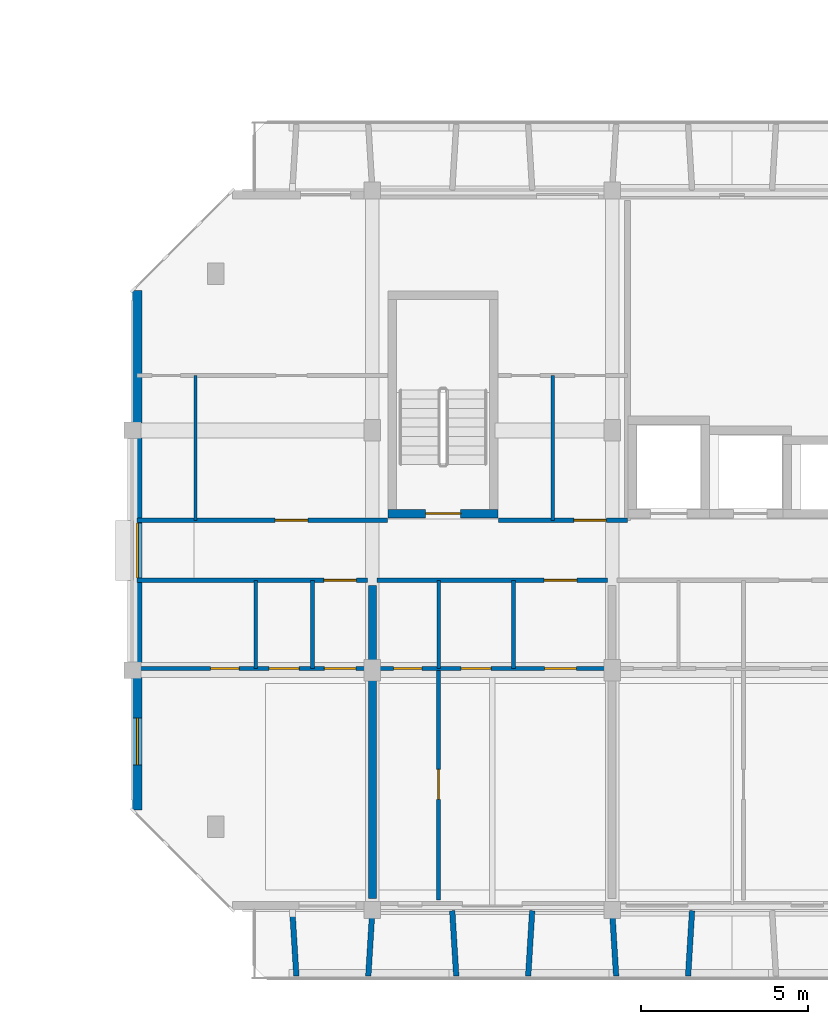
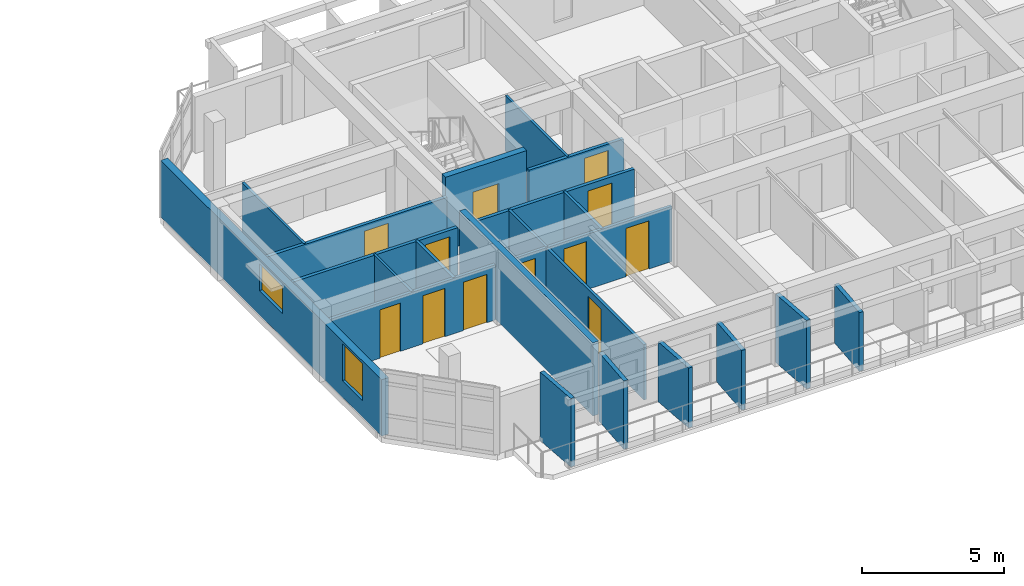
# One storey, part 22 of 44: 22 walls, 12 doors, 2 windows, 14 openings.
"""IFC4 building model written with IfcOpenShell, lengths in metres."""

from ifc_helpers import new_model, si_unit, direction, frame, frame_2d, origin, place, context, subcontext, project, spatial, rectangle, extrude, material, layer, layer_set, type_object, element, fill, save


model = new_model("IFC4")

# Units and contexts
model_context = context("Model", 3, precision=1e-05, world=origin(), true_north=direction((0.0, 1.0)))
body_context = subcontext(model_context, "Body", "Model", "MODEL_VIEW")
ifc_project = project(units=[si_unit("LENGTHUNIT", "METRE"), si_unit("AREAUNIT", "SQUARE_METRE"), si_unit("VOLUMEUNIT", "CUBIC_METRE"), si_unit("PLANEANGLEUNIT", "RADIAN"), si_unit("MASSUNIT", "GRAM", prefix="KILO")], contexts=[model_context])

# Site, building, storey
site_placement = place(None, origin())
site = spatial("IfcSite", under=ifc_project, at=site_placement, CompositionType="ELEMENT")
building_placement = place(site_placement, origin())
building = spatial("IfcBuilding", under=site, at=building_placement, Name="Ochrevale Crest", CompositionType="ELEMENT")
storey_placement = place(building_placement, frame((0.0, 0.0, 21.300048828125)))
storey = spatial("IfcBuildingStorey", under=building, at=storey_placement, Name="L06", CompositionType="ELEMENT", Elevation=21.300048828125)

# Wall, opening, door
ifc_material_1 = material(Name="Gypsum plasterboard", Category="gypsum")
ifc_layer_1 = layer(ifc_material_1, 0.139892578125)
ifc_layer_set_1 = layer_set([ifc_layer_1], Name="Gypsum plasterboard")
wall_type_1 = type_object("IfcWallType", Name="WL-COR-140", PredefinedType="PARTITIONING", material=ifc_layer_set_1)
wall_1_placement = place(storey_placement, frame((129.739990234375, 24.300048828125, 0.0), z_axis=(0.0, 0.0, 1.0), x_axis=(1.0, 0.0, 0.0)))
wall_1 = element("IfcWall", 1, at=wall_1_placement, inside=storey, type_object=wall_type_1, Name="Apartment C-L06-U1 corridor wall", PredefinedType="PARTITIONING", context=body_context, shape_type="SweptSolid", body=[
    extrude(rectangle(XDim=6.919921875, YDim=0.139892578125, at=frame_2d((3.4599609375, 0.0))), origin(), (0.0, 0.0, 1.0), 2.3798828125),
])
opening_1_placement = place(wall_1_placement, frame((6.5849609375, 0.0, 0.0), z_axis=(0.0, 0.0, 1.0), x_axis=(-1.0, 0.0, 0.0)))
opening_1 = element("IfcOpeningElement", 2, at=opening_1_placement, cuts=wall_1, Name="Opening FD01", PredefinedType="OPENING", context=body_context, shape_type="SweptSolid", body=[
    extrude(rectangle(XDim=0.97998046875, YDim=2.10009765625, at=frame_2d((0.489990234375, 1.050048828125))), frame((0.0, 0.080078125, 0.0), z_axis=(0.0, -1.0, 0.0), x_axis=(1.0, 0.0, 0.0)), (0.0, 0.0, 1.0), 0.159912109375),
])
ifc_material_2 = material(Name="Solid-core FSC hardwood", Category="wood")
door_type_1 = type_object("IfcDoorType", Name="DR-APT-950", OperationType="NOTDEFINED", PredefinedType="DOOR", material=ifc_material_2)
door_1_placement = place(opening_1_placement, origin())
door_1 = element("IfcDoor", 3, at=door_1_placement, inside=storey, type_object=door_type_1, Name="Apartment C-L06-U1 entrance door", OperationType="SINGLE_SWING_RIGHT", OverallHeight=2.10009765625, OverallWidth=0.97998046875, PredefinedType="DOOR", context=body_context, shape_type="SweptSolid", body=[
    extrude(rectangle(XDim=0.97998046875, YDim=2.10009765625, at=frame_2d((0.489990234375, 1.050048828125))), frame((0.0, 0.02490234375, 0.0), z_axis=(0.0, -1.0, 0.0), x_axis=(1.0, 0.0, 0.0)), (0.0, 0.0, 1.0), 0.050048828125),
])
fill(opening_1, door_1)

wall_2_placement = place(storey_placement, frame((136.93994140625, 24.300048828125, 0.0), z_axis=(0.0, 0.0, 1.0), x_axis=(1.0, 0.0, 0.0)))
wall_2 = element("IfcWall", 4, at=wall_2_placement, inside=storey, type_object=wall_type_1, Name="Apartment C-L06-U2 corridor wall", PredefinedType="PARTITIONING", context=body_context, shape_type="SweptSolid", body=[
    extrude(rectangle(XDim=6.920166015625, YDim=0.139892578125, at=frame_2d((3.4599609375, 0.0))), origin(), (0.0, 0.0, 1.0), 2.3798828125),
])
opening_2_placement = place(wall_2_placement, frame((6.0, 0.0, 0.0), z_axis=(0.0, 0.0, 1.0), x_axis=(-1.0, 0.0, 0.0)))
opening_2 = element("IfcOpeningElement", 5, at=opening_2_placement, cuts=wall_2, Name="Opening FD01", PredefinedType="OPENING", context=body_context, shape_type="SweptSolid", body=[
    extrude(rectangle(XDim=0.97998046875, YDim=2.10009765625, at=frame_2d((0.489990234375, 1.050048828125))), frame((0.0, 0.080078125, 0.0), z_axis=(0.0, -1.0, 0.0), x_axis=(1.0, 0.0, 0.0)), (0.0, 0.0, 1.0), 0.159912109375),
])
door_2_placement = place(opening_2_placement, origin())
door_2 = element("IfcDoor", 6, at=door_2_placement, inside=storey, type_object=door_type_1, Name="Apartment C-L06-U2 entrance door", OperationType="SINGLE_SWING_RIGHT", OverallHeight=2.10009765625, OverallWidth=0.97998046875, PredefinedType="DOOR", context=body_context, shape_type="SweptSolid", body=[
    extrude(rectangle(XDim=0.97998046875, YDim=2.10009765625, at=frame_2d((0.489990234375, 1.050048828125))), frame((0.0, 0.02490234375, 0.0), z_axis=(0.0, -1.0, 0.0), x_axis=(1.0, 0.0, 0.0)), (0.0, 0.0, 1.0), 0.050048828125),
])
fill(opening_2, door_2)

wall_3_placement = place(storey_placement, frame((129.739990234375, 26.10009765625, 0.0), z_axis=(0.0, 0.0, 1.0), x_axis=(1.0, 0.0, 0.0)))
wall_3 = element("IfcWall", 7, at=wall_3_placement, inside=storey, type_object=wall_type_1, Name="Suite C-L06-CW corridor wall", PredefinedType="PARTITIONING", context=body_context, shape_type="SweptSolid", body=[
    extrude(rectangle(XDim=7.52001953125, YDim=0.139892578125, at=frame_2d((3.760009765625, 0.0))), origin(), (0.0, 0.0, 1.0), 2.3798828125),
])
opening_3_placement = place(wall_3_placement, frame((5.125, 0.0, 0.0), z_axis=(0.0, 0.0, 1.0), x_axis=(-1.0, 0.0, 0.0)))
opening_3 = element("IfcOpeningElement", 8, at=opening_3_placement, cuts=wall_3, Name="Opening FD01", PredefinedType="OPENING", context=body_context, shape_type="SweptSolid", body=[
    extrude(rectangle(XDim=0.97998046875, YDim=2.10009765625, at=frame_2d((0.489990234375, 1.050048828125))), frame((0.0, 0.080078125, 0.0), z_axis=(0.0, -1.0, 0.0), x_axis=(1.0, 0.0, 0.0)), (0.0, 0.0, 1.0), 0.159912109375),
])
door_3_placement = place(opening_3_placement, origin())
door_3 = element("IfcDoor", 9, at=door_3_placement, inside=storey, type_object=door_type_1, Name="Suite C-L06-CW entrance door", OperationType="SINGLE_SWING_RIGHT", OverallHeight=2.10009765625, OverallWidth=0.97998046875, PredefinedType="DOOR", context=body_context, shape_type="SweptSolid", body=[
    extrude(rectangle(XDim=0.97998046875, YDim=2.10009765625, at=frame_2d((0.489990234375, 1.050048828125))), frame((0.0, 0.02490234375, 0.0), z_axis=(0.0, -1.0, 0.0), x_axis=(1.0, 0.0, 0.0)), (0.0, 0.0, 1.0), 0.050048828125),
])
fill(opening_3, door_3)

wall_4_placement = place(storey_placement, frame((140.590087890625, 26.10009765625, 0.0), z_axis=(0.0, 0.0, 1.0), x_axis=(1.0, 0.0, 0.0)))
wall_4 = element("IfcWall", 10, at=wall_4_placement, inside=storey, type_object=wall_type_1, Name="Suite C-L06-MW corridor wall", PredefinedType="PARTITIONING", context=body_context, shape_type="SweptSolid", body=[
    extrude(rectangle(XDim=3.869873046875, YDim=0.139892578125, at=frame_2d((1.93505859375, 0.0))), origin(), (0.0, 0.0, 1.0), 2.3798828125),
])
opening_4_placement = place(wall_4_placement, frame((2.2578125, 0.0, 0.0)))
opening_4 = element("IfcOpeningElement", 11, at=opening_4_placement, cuts=wall_4, Name="Opening FD01", PredefinedType="OPENING", context=body_context, shape_type="SweptSolid", body=[
    extrude(rectangle(XDim=0.97998046875, YDim=2.10009765625, at=frame_2d((0.489990234375, 1.050048828125))), frame((0.0, 0.080078125, 0.0), z_axis=(0.0, -1.0, 0.0), x_axis=(1.0, 0.0, 0.0)), (0.0, 0.0, 1.0), 0.159912109375),
])
door_4_placement = place(opening_4_placement, origin())
door_4 = element("IfcDoor", 12, at=door_4_placement, inside=storey, type_object=door_type_1, Name="Suite C-L06-MW entrance door", OperationType="SINGLE_SWING_LEFT", OverallHeight=2.10009765625, OverallWidth=0.97998046875, PredefinedType="DOOR", context=body_context, shape_type="SweptSolid", body=[
    extrude(rectangle(XDim=0.97998046875, YDim=2.10009765625, at=frame_2d((0.489990234375, 1.050048828125))), frame((0.0, 0.02490234375, 0.0), z_axis=(0.0, -1.0, 0.0), x_axis=(1.0, 0.0, 0.0)), (0.0, 0.0, 1.0), 0.050048828125),
])
fill(opening_4, door_4)

ifc_material_3 = material(Name="Precast concrete C50/60", Category="concrete")
ifc_layer_2 = layer(ifc_material_3, 0.2548828125)
ifc_layer_set_2 = layer_set([ifc_layer_2], Name="Precast concrete C50/60")
wall_type_2 = type_object("IfcWallType", Name="WL-CORE-255", PredefinedType="SHEAR", material=ifc_layer_set_2)
wall_5_placement = place(storey_placement, frame((137.2724609375, 26.300048828125, 0.0), z_axis=(0.0, 0.0, 1.0), x_axis=(1.0, 0.0, 0.0)))
wall_5 = element("IfcWall", 13, at=wall_5_placement, inside=storey, type_object=wall_type_2, Name="Block C L06 Stair 1 precast core shear wall S", PredefinedType="SHEAR", context=body_context, shape_type="SweptSolid", body=[
    extrude(rectangle(XDim=3.304931640625, YDim=0.2548828125, at=frame_2d((1.65234375, 0.0))), origin(), (0.0, 0.0, 1.0), 3.14990234375),
])
opening_5_placement = place(wall_5_placement, frame((2.177490234375, 0.0, 0.0), z_axis=(0.0, 0.0, 1.0), x_axis=(-1.0, 0.0, 0.0)))
opening_5 = element("IfcOpeningElement", 14, at=opening_5_placement, cuts=wall_5, Name="Opening FD03", PredefinedType="OPENING", context=body_context, shape_type="SweptSolid", body=[
    extrude(rectangle(XDim=1.050048828125, YDim=2.1201171875, at=frame_2d((0.52490234375, 1.06005859375))), frame((0.0, 0.137451171875, 0.0), z_axis=(0.0, -1.0, 0.0), x_axis=(1.0, 0.0, 0.0)), (0.0, 0.0, 1.0), 0.27490234375),
])
door_type_2 = type_object("IfcDoorType", Name="DR-ST-1050", OperationType="NOTDEFINED", PredefinedType="DOOR", material=ifc_material_2)
door_5_placement = place(opening_5_placement, origin())
door_5 = element("IfcDoor", 15, at=door_5_placement, inside=storey, type_object=door_type_2, Name="Block C L06 fire stair 1 door", OperationType="SINGLE_SWING_RIGHT", OverallHeight=2.1201171875, OverallWidth=1.050048828125, PredefinedType="DOOR", context=body_context, shape_type="SweptSolid", body=[
    extrude(rectangle(XDim=1.050048828125, YDim=2.1201171875, at=frame_2d((0.52490234375, 1.06005859375))), frame((0.0, 0.02490234375, 0.0), z_axis=(0.0, -1.0, 0.0), x_axis=(1.0, 0.0, 0.0)), (0.0, 0.0, 1.0), 0.050048828125),
])
fill(opening_5, door_5)

# Wall, openings, windows
ifc_material_4 = material(Name="Clay face brickwork", Category="masonry")
ifc_layer_3 = layer(ifc_material_4, 0.2900390625)
ifc_layer_set_3 = layer_set([ifc_layer_3], Name="Clay face brickwork")
wall_type_3 = type_object("IfcWallType", Name="WL-EXT-BRICK-290", PredefinedType="SOLIDWALL", material=ifc_layer_set_3)
wall_6_placement = place(storey_placement, frame((129.7451171875, 33.0, 0.0), z_axis=(0.0, 0.0, 1.0), x_axis=(0.0, -1.0, 0.0)))
wall_6 = element("IfcWall", 16, at=wall_6_placement, inside=storey, type_object=wall_type_3, Name="Block C L06 external facade wall E7", PredefinedType="SOLIDWALL", context=body_context, shape_type="SweptSolid", body=[
    extrude(rectangle(XDim=15.60009765625, YDim=0.2900390625, at=frame_2d((7.800048828125, 0.0))), origin(), (0.0, 0.0, 1.0), 2.429931640625),
])
opening_6_placement = place(wall_6_placement, frame((6.97509765625, 0.0, 1.050048828125)))
opening_6 = element("IfcOpeningElement", 17, at=opening_6_placement, cuts=wall_6, Name="Opening W19", PredefinedType="OPENING", context=body_context, shape_type="SweptSolid", body=[
    extrude(rectangle(XDim=1.64990234375, YDim=1.14990234375, at=frame_2d((0.824951171875, 0.574951171875))), frame((0.0, 0.155029296875, 0.0), z_axis=(0.0, -1.0, 0.0), x_axis=(1.0, 0.0, 0.0)), (0.0, 0.0, 1.0), 0.31005859375),
])
opening_7_placement = place(wall_6_placement, frame((12.830078125, 0.0, 0.719970703125)))
opening_7 = element("IfcOpeningElement", 18, at=opening_7_placement, cuts=wall_6, Name="Opening W31", PredefinedType="OPENING", context=body_context, shape_type="SweptSolid", body=[
    extrude(rectangle(XDim=1.419921875, YDim=1.60009765625, at=frame_2d((0.7099609375, 0.800048828125))), frame((0.0, 0.155029296875, 0.0), z_axis=(0.0, -1.0, 0.0), x_axis=(1.0, 0.0, 0.0)), (0.0, 0.0, 1.0), 0.31005859375),
])
ifc_material_5 = material(Name="Anodised aluminium 6063-T5 and low-E double glazing", Category="aluminium")
window_type_1 = type_object("IfcWindowType", Name="WIN-W19", PartitioningType="SINGLE_PANEL", PredefinedType="WINDOW", material=ifc_material_5)
window_1_placement = place(opening_6_placement, origin())
window_1 = element("IfcWindow", 19, at=window_1_placement, inside=storey, type_object=window_type_1, Name="Block C L06 corridor end daylight window W", OverallHeight=1.14990234375, OverallWidth=1.64990234375, PartitioningType="SINGLE_PANEL", PredefinedType="WINDOW", context=body_context, shape_type="SweptSolid", body=[
    extrude(rectangle(XDim=1.64990234375, YDim=1.14990234375, at=frame_2d((0.824951171875, 0.574951171875))), frame((0.0, 0.030029296875, 0.0), z_axis=(0.0, -1.0, 0.0), x_axis=(1.0, 0.0, 0.0)), (0.0, 0.0, 1.0), 0.06005859375),
])
fill(opening_6, window_1)
window_type_2 = type_object("IfcWindowType", Name="WIN-W31", PartitioningType="SINGLE_PANEL", PredefinedType="WINDOW", material=ifc_material_5)
window_2_placement = place(opening_7_placement, origin())
window_2 = element("IfcWindow", 20, at=window_2_placement, inside=storey, type_object=window_type_2, Name="Block C L06 side suite window W", OverallHeight=1.60009765625, OverallWidth=1.419921875, PartitioningType="SINGLE_PANEL", PredefinedType="WINDOW", context=body_context, shape_type="SweptSolid", body=[
    extrude(rectangle(XDim=1.419921875, YDim=1.60009765625, at=frame_2d((0.7099609375, 0.800048828125))), frame((0.0, 0.030029296875, 0.0), z_axis=(0.0, -1.0, 0.0), x_axis=(1.0, 0.0, 0.0)), (0.0, 0.0, 1.0), 0.06005859375),
])
fill(opening_7, window_2)

# Walls
ifc_material_6 = material(Name="Precast concrete C40/50", Category="concrete")
ifc_layer_4 = layer(ifc_material_6, 0.1650390625)
ifc_layer_set_4 = layer_set([ifc_layer_4], Name="Precast concrete C40/50")
wall_type_4 = type_object("IfcWallType", Name="WL-HC-CHEEK-165", PredefinedType="ELEMENTEDWALL", material=ifc_layer_set_4)
for number, where, z_axis, x_axis, name in (
    (21, (134.39990234375, 14.3798828125, 0.0), (0.0, 0.0, 1.0), (0.061170732449, -0.998127317276, 0.0), "Block C L06 S precast honeycomb cheek 1"),
    (22, (136.800048828125, 14.3798828125, 0.0), (0.0, 0.0, 1.0), (-0.061170732449, -0.998127317276, 0.0), "Block C L06 S precast honeycomb cheek 2"),
):
    element("IfcWall", number, at=place(storey_placement, frame(where, z_axis=z_axis, x_axis=x_axis)), inside=storey, type_object=wall_type_4, Name=name, PredefinedType="ELEMENTEDWALL", context=body_context, shape_type="SweptSolid", body=[
        extrude(rectangle(XDim=1.963623046875, YDim=0.1650390625, at=frame_2d((0.98193359375, 0.0))), origin(), (0.0, 0.0, 1.0), 2.949951171875),
    ])
for number, where, z_axis, x_axis, name in (
    (23, (139.199951171875, 14.3798828125, 0.0), (0.0, 0.0, 1.0), (0.061170732449, -0.998127317276, 0.0), "Block C L06 S precast honeycomb cheek 3"),
    (24, (141.60009765625, 14.3798828125, 0.0), (0.0, 0.0, 1.0), (-0.061170732449, -0.998127317276, 0.0), "Block C L06 S precast honeycomb cheek 4"),
):
    element("IfcWall", number, at=place(storey_placement, frame(where, z_axis=z_axis, x_axis=x_axis)), inside=storey, type_object=wall_type_4, Name=name, PredefinedType="ELEMENTEDWALL", context=body_context, shape_type="SweptSolid", body=[
        extrude(rectangle(XDim=1.963623046875, YDim=0.1650390625, at=frame_2d((0.98193359375, 0.0))), origin(), (0.0, 0.0, 1.0), 2.579833984375),
    ])
wall_7_placement = place(storey_placement, frame((144.0, 14.3798828125, 0.0), z_axis=(0.0, 0.0, 1.0), x_axis=(0.061170732449, -0.998127317276, 0.0)))
element("IfcWall", 25, at=wall_7_placement, inside=storey, type_object=wall_type_4, Name="Block C L06 S precast honeycomb cheek 5", PredefinedType="ELEMENTEDWALL", context=body_context, shape_type="SweptSolid", body=[
    extrude(rectangle(XDim=1.963623046875, YDim=0.1650390625, at=frame_2d((0.98193359375, 0.0))), origin(), (0.0, 0.0, 1.0), 2.949951171875),
])
wall_8_placement = place(storey_placement, frame((146.39990234375, 14.3798828125, 0.0), z_axis=(0.0, 0.0, 1.0), x_axis=(-0.061046865508, -0.998134900808, 0.0)))
element("IfcWall", 26, at=wall_8_placement, inside=storey, type_object=wall_type_4, Name="Block C L06 S precast honeycomb cheek 6", PredefinedType="ELEMENTEDWALL", context=body_context, shape_type="SweptSolid", body=[
    extrude(rectangle(XDim=1.963623046875, YDim=0.1650390625, at=frame_2d((0.98193359375, 0.0))), origin(), (0.0, 0.0, 1.0), 2.530029296875),
])
ifc_layer_5 = layer(ifc_material_1, 0.1201171875)
ifc_layer_set_5 = layer_set([ifc_layer_5], Name="Gypsum plasterboard")
wall_type_5 = type_object("IfcWallType", Name="WL-PART-120", PredefinedType="PARTITIONING", material=ifc_layer_set_5)
wall_9_placement = place(storey_placement, frame((135.010009765625, 21.64990234375, 0.0), z_axis=(0.0, 0.0, 1.0), x_axis=(0.0, 1.0, 0.0)))
element("IfcWall", 27, at=wall_9_placement, inside=storey, type_object=wall_type_5, Name="Apartment C-L06-U1 kitchen-foyer wall", PredefinedType="PARTITIONING", context=body_context, shape_type="SweptSolid", body=[
    extrude(rectangle(XDim=2.650146484375, YDim=0.1201171875, at=frame_2d((1.3251953125, 0.0))), origin(), (0.0, 0.0, 1.0), 2.3798828125),
])

# Wall, openings, doors
wall_10_placement = place(storey_placement, frame((129.739990234375, 21.64990234375, 0.0), z_axis=(0.0, 0.0, 1.0), x_axis=(1.0, 0.0, 0.0)))
wall_10 = element("IfcWall", 28, at=wall_10_placement, inside=storey, type_object=wall_type_5, Name="Apartment C-L06-U1 central partition", PredefinedType="PARTITIONING", context=body_context, shape_type="SweptSolid", body=[
    extrude(rectangle(XDim=6.919921875, YDim=0.1201171875, at=frame_2d((3.4599609375, 0.0))), origin(), (0.0, 0.0, 1.0), 2.3798828125),
])
opening_8_placement = place(wall_10_placement, frame((2.2099609375, 0.0, 0.0)))
opening_8 = element("IfcOpeningElement", 29, at=opening_8_placement, cuts=wall_10, Name="Opening ID01", PredefinedType="OPENING", context=body_context, shape_type="SweptSolid", body=[
    extrude(rectangle(XDim=0.85009765625, YDim=2.080078125, at=frame_2d((0.425048828125, 1.0400390625))), frame((0.0, 0.070068359375, 0.0), z_axis=(0.0, -1.0, 0.0), x_axis=(1.0, 0.0, 0.0)), (0.0, 0.0, 1.0), 0.14013671875),
])
opening_9_placement = place(wall_10_placement, frame((4.864990234375, 0.0, 0.0), z_axis=(0.0, 0.0, 1.0), x_axis=(-1.0, 0.0, 0.0)))
opening_9 = element("IfcOpeningElement", 30, at=opening_9_placement, cuts=wall_10, Name="Opening ID02", PredefinedType="OPENING", context=body_context, shape_type="SweptSolid", body=[
    extrude(rectangle(XDim=0.89990234375, YDim=2.080078125, at=frame_2d((0.449951171875, 1.0400390625))), frame((0.0, 0.070068359375, 0.0), z_axis=(0.0, -1.0, 0.0), x_axis=(1.0, 0.0, 0.0)), (0.0, 0.0, 1.0), 0.14013671875),
])
opening_10_placement = place(wall_10_placement, frame((5.6201171875, 0.0, 0.0)))
opening_10 = element("IfcOpeningElement", 31, at=opening_10_placement, cuts=wall_10, Name="Opening ID06", PredefinedType="OPENING", context=body_context, shape_type="SweptSolid", body=[
    extrude(rectangle(XDim=0.949951171875, YDim=2.080078125, at=frame_2d((0.47509765625, 1.0400390625))), frame((0.0, 0.070068359375, 0.0), z_axis=(0.0, -1.0, 0.0), x_axis=(1.0, 0.0, 0.0)), (0.0, 0.0, 1.0), 0.14013671875),
])
door_type_3 = type_object("IfcDoorType", Name="DR-INT-900", OperationType="NOTDEFINED", PredefinedType="DOOR", material=ifc_material_2)
door_6_placement = place(opening_9_placement, origin())
door_6 = element("IfcDoor", 32, at=door_6_placement, inside=storey, type_object=door_type_3, Name="Apartment C-L06-U1 Kitchen door", OperationType="SINGLE_SWING_RIGHT", OverallHeight=2.080078125, OverallWidth=0.89990234375, PredefinedType="DOOR", context=body_context, shape_type="SweptSolid", body=[
    extrude(rectangle(XDim=0.89990234375, YDim=2.080078125, at=frame_2d((0.449951171875, 1.0400390625))), frame((0.0, 0.02490234375, 0.0), z_axis=(0.0, -1.0, 0.0), x_axis=(1.0, 0.0, 0.0)), (0.0, 0.0, 1.0), 0.050048828125),
])
fill(opening_9, door_6)
door_type_4 = type_object("IfcDoorType", Name="DR-INT-950", OperationType="NOTDEFINED", PredefinedType="DOOR", material=ifc_material_2)
door_7_placement = place(opening_10_placement, origin())
door_7 = element("IfcDoor", 33, at=door_7_placement, inside=storey, type_object=door_type_4, Name="Apartment C-L06-U1 Living Foyer door", OperationType="SINGLE_SWING_LEFT", OverallHeight=2.080078125, OverallWidth=0.949951171875, PredefinedType="DOOR", context=body_context, shape_type="SweptSolid", body=[
    extrude(rectangle(XDim=0.949951171875, YDim=2.080078125, at=frame_2d((0.47509765625, 1.0400390625))), frame((0.0, 0.02490234375, 0.0), z_axis=(0.0, -1.0, 0.0), x_axis=(1.0, 0.0, 0.0)), (0.0, 0.0, 1.0), 0.050048828125),
])
fill(opening_10, door_7)
door_type_5 = type_object("IfcDoorType", Name="DR-WC-850", OperationType="NOTDEFINED", PredefinedType="DOOR", material=ifc_material_2)
door_8_placement = place(opening_8_placement, origin())
door_8 = element("IfcDoor", 34, at=door_8_placement, inside=storey, type_object=door_type_5, Name="Apartment C-L06-U1 Bathroom door", OperationType="SINGLE_SWING_LEFT", OverallHeight=2.080078125, OverallWidth=0.85009765625, PredefinedType="DOOR", context=body_context, shape_type="SweptSolid", body=[
    extrude(rectangle(XDim=0.85009765625, YDim=2.080078125, at=frame_2d((0.425048828125, 1.0400390625))), frame((0.0, 0.02490234375, 0.0), z_axis=(0.0, -1.0, 0.0), x_axis=(1.0, 0.0, 0.0)), (0.0, 0.0, 1.0), 0.050048828125),
])
fill(opening_8, door_8)

# Wall
wall_11_placement = place(storey_placement, frame((141.0400390625, 21.64990234375, 0.0), z_axis=(0.0, 0.0, 1.0), x_axis=(0.0, 1.0, 0.0)))
element("IfcWall", 35, at=wall_11_placement, inside=storey, type_object=wall_type_5, Name="Apartment C-L06-U2 kitchen-foyer wall", PredefinedType="PARTITIONING", context=body_context, shape_type="SweptSolid", body=[
    extrude(rectangle(XDim=2.650146484375, YDim=0.1201171875, at=frame_2d((1.3251953125, 0.0))), origin(), (0.0, 0.0, 1.0), 2.3798828125),
])

# Wall, openings, doors
wall_12_placement = place(storey_placement, frame((136.93994140625, 21.64990234375, 0.0), z_axis=(0.0, 0.0, 1.0), x_axis=(1.0, 0.0, 0.0)))
wall_12 = element("IfcWall", 36, at=wall_12_placement, inside=storey, type_object=wall_type_5, Name="Apartment C-L06-U2 central partition", PredefinedType="PARTITIONING", context=body_context, shape_type="SweptSolid", body=[
    extrude(rectangle(XDim=6.920166015625, YDim=0.1201171875, at=frame_2d((3.4599609375, 0.0))), origin(), (0.0, 0.0, 1.0), 2.3798828125),
])
opening_11_placement = place(wall_12_placement, frame((0.5, 0.0, 0.0)))
opening_11 = element("IfcOpeningElement", 37, at=opening_11_placement, cuts=wall_12, Name="Opening ID01", PredefinedType="OPENING", context=body_context, shape_type="SweptSolid", body=[
    extrude(rectangle(XDim=0.85009765625, YDim=2.080078125, at=frame_2d((0.425048828125, 1.0400390625))), frame((0.0, 0.070068359375, 0.0), z_axis=(0.0, -1.0, 0.0), x_axis=(1.0, 0.0, 0.0)), (0.0, 0.0, 1.0), 0.14013671875),
])
opening_12_placement = place(wall_12_placement, frame((3.4248046875, 0.0, 0.0), z_axis=(0.0, 0.0, 1.0), x_axis=(-1.0, 0.0, 0.0)))
opening_12 = element("IfcOpeningElement", 38, at=opening_12_placement, cuts=wall_12, Name="Opening ID02", PredefinedType="OPENING", context=body_context, shape_type="SweptSolid", body=[
    extrude(rectangle(XDim=0.89990234375, YDim=2.080078125, at=frame_2d((0.449951171875, 1.0400390625))), frame((0.0, 0.070068359375, 0.0), z_axis=(0.0, -1.0, 0.0), x_axis=(1.0, 0.0, 0.0)), (0.0, 0.0, 1.0), 0.14013671875),
])
opening_13_placement = place(wall_12_placement, frame((5.034912109375, 0.0, 0.0)))
opening_13 = element("IfcOpeningElement", 39, at=opening_13_placement, cuts=wall_12, Name="Opening ID06", PredefinedType="OPENING", context=body_context, shape_type="SweptSolid", body=[
    extrude(rectangle(XDim=0.949951171875, YDim=2.080078125, at=frame_2d((0.47509765625, 1.0400390625))), frame((0.0, 0.070068359375, 0.0), z_axis=(0.0, -1.0, 0.0), x_axis=(1.0, 0.0, 0.0)), (0.0, 0.0, 1.0), 0.14013671875),
])
door_9_placement = place(opening_12_placement, origin())
door_9 = element("IfcDoor", 40, at=door_9_placement, inside=storey, type_object=door_type_3, Name="Apartment C-L06-U2 Kitchen door", OperationType="SINGLE_SWING_RIGHT", OverallHeight=2.080078125, OverallWidth=0.89990234375, PredefinedType="DOOR", context=body_context, shape_type="SweptSolid", body=[
    extrude(rectangle(XDim=0.89990234375, YDim=2.080078125, at=frame_2d((0.449951171875, 1.0400390625))), frame((0.0, 0.02490234375, 0.0), z_axis=(0.0, -1.0, 0.0), x_axis=(1.0, 0.0, 0.0)), (0.0, 0.0, 1.0), 0.050048828125),
])
fill(opening_12, door_9)
door_10_placement = place(opening_13_placement, origin())
door_10 = element("IfcDoor", 41, at=door_10_placement, inside=storey, type_object=door_type_4, Name="Apartment C-L06-U2 Living Foyer door", OperationType="SINGLE_SWING_LEFT", OverallHeight=2.080078125, OverallWidth=0.949951171875, PredefinedType="DOOR", context=body_context, shape_type="SweptSolid", body=[
    extrude(rectangle(XDim=0.949951171875, YDim=2.080078125, at=frame_2d((0.47509765625, 1.0400390625))), frame((0.0, 0.02490234375, 0.0), z_axis=(0.0, -1.0, 0.0), x_axis=(1.0, 0.0, 0.0)), (0.0, 0.0, 1.0), 0.050048828125),
])
fill(opening_13, door_10)
door_11_placement = place(opening_11_placement, origin())
door_11 = element("IfcDoor", 42, at=door_11_placement, inside=storey, type_object=door_type_5, Name="Apartment C-L06-U2 Bathroom door", OperationType="SINGLE_SWING_LEFT", OverallHeight=2.080078125, OverallWidth=0.85009765625, PredefinedType="DOOR", context=body_context, shape_type="SweptSolid", body=[
    extrude(rectangle(XDim=0.85009765625, YDim=2.080078125, at=frame_2d((0.425048828125, 1.0400390625))), frame((0.0, 0.02490234375, 0.0), z_axis=(0.0, -1.0, 0.0), x_axis=(1.0, 0.0, 0.0)), (0.0, 0.0, 1.0), 0.050048828125),
])
fill(opening_11, door_11)

# Wall, opening, door
wall_13_placement = place(storey_placement, frame((138.7900390625, 14.699951171875, 0.0), z_axis=(0.0, 0.0, 1.0), x_axis=(0.0, 1.0, 0.0)))
wall_13 = element("IfcWall", 43, at=wall_13_placement, inside=storey, type_object=wall_type_5, Name="Apartment C-L06-U2 bedroom partition", PredefinedType="PARTITIONING", context=body_context, shape_type="SweptSolid", body=[
    extrude(rectangle(XDim=6.949951171875, YDim=0.1201171875, at=frame_2d((3.47509765625, 0.0))), origin(), (0.0, 0.0, 1.0), 2.3798828125),
])
opening_14_placement = place(wall_13_placement, frame((3.9248046875, 0.0, 0.0), z_axis=(0.0, 0.0, 1.0), x_axis=(-1.0, 0.0, 0.0)))
opening_14 = element("IfcOpeningElement", 44, at=opening_14_placement, cuts=wall_13, Name="Opening ID02", PredefinedType="OPENING", context=body_context, shape_type="SweptSolid", body=[
    extrude(rectangle(XDim=0.89990234375, YDim=2.080078125, at=frame_2d((0.449951171875, 1.0400390625))), frame((0.0, 0.070068359375, 0.0), z_axis=(0.0, -1.0, 0.0), x_axis=(1.0, 0.0, 0.0)), (0.0, 0.0, 1.0), 0.14013671875),
])
door_12_placement = place(opening_14_placement, origin())
door_12 = element("IfcDoor", 45, at=door_12_placement, inside=storey, type_object=door_type_3, Name="Apartment C-L06-U2 Double Bedroom door", OperationType="SINGLE_SWING_RIGHT", OverallHeight=2.080078125, OverallWidth=0.89990234375, PredefinedType="DOOR", context=body_context, shape_type="SweptSolid", body=[
    extrude(rectangle(XDim=0.89990234375, YDim=2.080078125, at=frame_2d((0.449951171875, 1.0400390625))), frame((0.0, 0.02490234375, 0.0), z_axis=(0.0, -1.0, 0.0), x_axis=(1.0, 0.0, 0.0)), (0.0, 0.0, 1.0), 0.050048828125),
])
fill(opening_14, door_12)

# Walls
ifc_layer_6 = layer(ifc_material_3, 0.239990234375)
ifc_layer_set_6 = layer_set([ifc_layer_6], Name="Precast concrete C50/60")
wall_type_6 = type_object("IfcWallType", Name="WL-SHEAR-240", PredefinedType="SHEAR", material=ifc_layer_set_6)
wall_14_placement = place(storey_placement, frame((136.800048828125, 14.75, 0.0), z_axis=(0.0, 0.0, 1.0), x_axis=(0.0, 1.0, 0.0)))
element("IfcWall", 46, at=wall_14_placement, inside=storey, type_object=wall_type_6, Name="Block C L06 load-bearing precast cross-wall X=136.8", PredefinedType="SHEAR", context=body_context, shape_type="SweptSolid", body=[
    extrude(rectangle(XDim=9.39990234375, YDim=0.239990234375, at=frame_2d((4.699951171875, 0.0))), origin(), (0.0, 0.0, 1.0), 3.14990234375),
])
ifc_layer_7 = layer(ifc_material_1, 0.10009765625)
ifc_layer_set_7 = layer_set([ifc_layer_7], Name="Gypsum plasterboard")
wall_type_7 = type_object("IfcWallType", Name="WL-WET-100", PredefinedType="PARTITIONING", material=ifc_layer_set_7)
for number, where, z_axis, x_axis, name in (
    (47, (133.300048828125, 21.64990234375, 0.0), (0.0, 0.0, 1.0), (0.0, 1.0, 0.0), "Apartment C-L06-U1 bath-kitchen wall"),
    (48, (138.7900390625, 21.64990234375, 0.0), (0.0, 0.0, 1.0), (0.0, 1.0, 0.0), "Apartment C-L06-U2 bath-kitchen wall"),
):
    element("IfcWall", number, at=place(storey_placement, frame(where, z_axis=z_axis, x_axis=x_axis)), inside=storey, type_object=wall_type_7, Name=name, PredefinedType="PARTITIONING", context=body_context, shape_type="SweptSolid", body=[
        extrude(rectangle(XDim=2.650146484375, YDim=0.10009765625, at=frame_2d((1.3251953125, 0.0))), origin(), (0.0, 0.0, 1.0), 2.3798828125),
    ])
for number, where, z_axis, x_axis, name in (
    (49, (131.489990234375, 26.10009765625, 0.0), (0.0, 0.0, 1.0), (0.0, 1.0, 0.0), "Suite C-L06-CW bathroom divider"),
    (50, (142.21533203125, 26.10009765625, 0.0), (0.0, 0.0, 1.0), (0.0, 1.0, 0.0), "Suite C-L06-MW bathroom divider"),
):
    element("IfcWall", number, at=place(storey_placement, frame(where, z_axis=z_axis, x_axis=x_axis)), inside=storey, type_object=wall_type_7, Name=name, PredefinedType="PARTITIONING", context=body_context, shape_type="SweptSolid", body=[
        extrude(rectangle(XDim=4.349853515625, YDim=0.10009765625, at=frame_2d((2.1748046875, 0.0))), origin(), (0.0, 0.0, 1.0), 2.3798828125),
    ])

save(model, "model.ifc")
